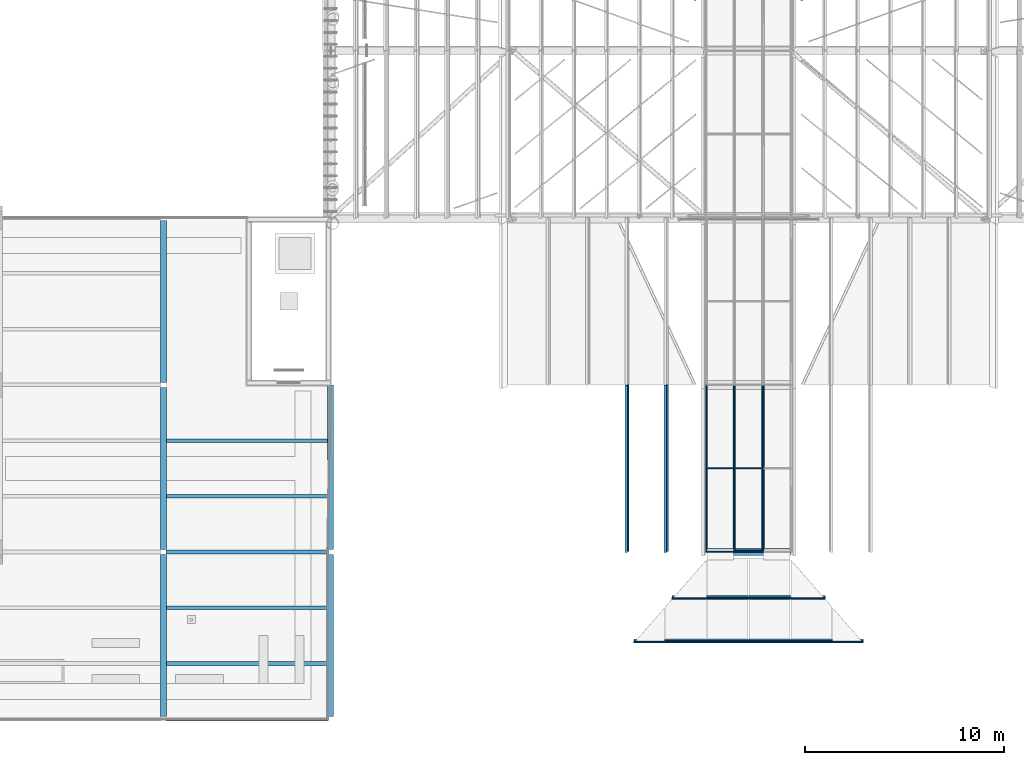
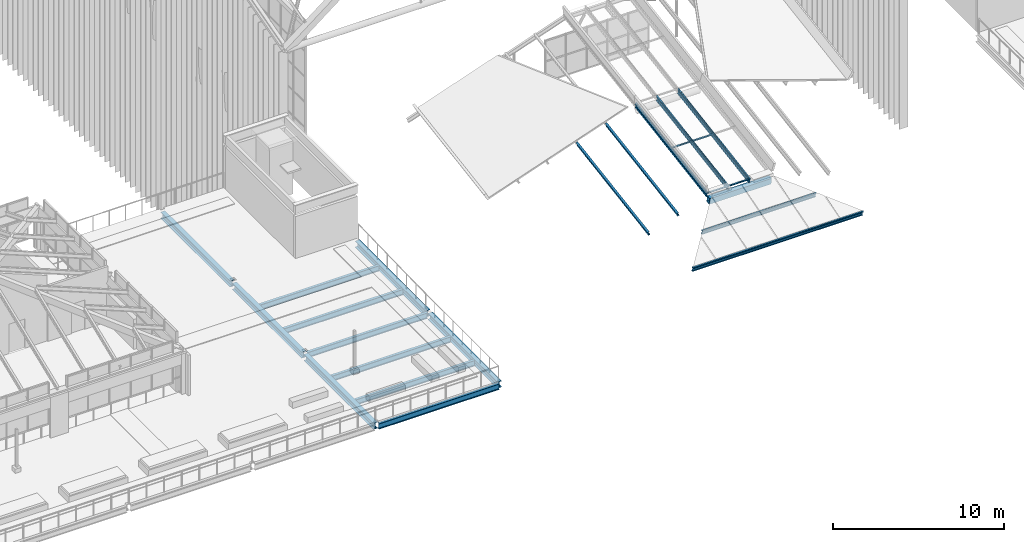
# One storey, part 13 of 126: 16 members, 12 beams.
"""IFC4 building model written with IfcOpenShell, lengths in metres."""

import ifcopenshell
import ifcopenshell.guid

model = None  # the IFC model being written
_history = None  # IfcOwnerHistory: only IFC2X3 demands one
_inside = {}  # id of a spatial element -> (the spatial element, [elements in it])
_under = {}  # id of a project, library or spatial element -> (it, [spatial elements below it])
_declared = {}  # id of a project -> (the project, [libraries it declares])
_typed = {}  # id of a type object -> (the type object, [elements of that type])
_made_of = {}  # id of a material, layer set ... -> (it, [elements and type objects made of it])


def new_model(schema):
    """Start an empty IFC model of exactly this schema.

    Asked for "IFC4X3", IfcOpenShell would pick the latest addendum, in which some entities
    have other attributes; the version numbers below select the first issue.
    IFC2X3 requires an IfcOwnerHistory on every rooted entity: one is made here for all.
    """
    global model, _history
    if schema == "IFC4X3":
        model = ifcopenshell.file(schema_version=(4, 3, 0, 0))
    else:
        model = ifcopenshell.file(schema=schema)
    _inside.clear()
    _under.clear()
    _declared.clear()
    _typed.clear()
    _made_of.clear()
    _history = None
    if model.schema == "IFC2X3":
        org = make("IfcOrganization", Name="unknown")
        user = make(
            "IfcPersonAndOrganization",
            ThePerson=make("IfcPerson", FamilyName="unknown"),
            TheOrganization=org,
        )
        app = make(
            "IfcApplication",
            ApplicationDeveloper=org,
            Version="unknown",
            ApplicationFullName="unknown",
            ApplicationIdentifier="unknown",
        )
        _history = make(
            "IfcOwnerHistory",
            OwningUser=user,
            OwningApplication=app,
            ChangeAction="ADDED",
            CreationDate=0,
        )
    return model


def make(cls, **values):
    """One entity of the class cls with the attributes given. An attribute that is None is left unset."""
    return model.create_entity(
        cls, **{name: value for name, value in values.items() if value is not None}
    )


def rooted(cls, **values):
    """An entity with a GlobalId (a new one), such as an element, a storey or a relation."""
    return make(cls, GlobalId=ifcopenshell.guid.new(), OwnerHistory=_history, **values)


def si_unit(unit_type, name, prefix=None):
    """IfcSIUnit, for example si_unit("LENGTHUNIT", "METRE", prefix="MILLI")."""
    return make("IfcSIUnit", UnitType=unit_type, Prefix=prefix, Name=name)


def assignment(units):
    """IfcUnitAssignment: the units of a project."""
    return None if units is None else make("IfcUnitAssignment", Units=units)


def point(xyz):
    """IfcCartesianPoint."""
    return None if xyz is None else make("IfcCartesianPoint", Coordinates=xyz)


def direction(xyz):
    """IfcDirection."""
    return None if xyz is None else make("IfcDirection", DirectionRatios=xyz)


def frame(location, z_axis=None, x_axis=None):
    """IfcAxis2Placement3D, a coordinate frame: its origin and axes. An axis left out is left unset."""
    return make(
        "IfcAxis2Placement3D",
        Location=point(location),
        Axis=direction(z_axis),
        RefDirection=direction(x_axis),
    )


def frame_2d(location, x_axis=None):
    """IfcAxis2Placement2D, a coordinate frame in the plane: its origin and x axis."""
    return make(
        "IfcAxis2Placement2D", Location=point(location), RefDirection=direction(x_axis)
    )


def origin():
    """The frame at (0, 0, 0) with its axes left unset."""
    return frame((0.0, 0.0, 0.0))


def origin_2d():
    """The frame at (0, 0) in the plane with its x axis left unset."""
    return frame_2d((0.0, 0.0))


def place(relative_to, where):
    """IfcLocalPlacement: puts the frame where relative to a parent placement (None: the world)."""
    return make(
        "IfcLocalPlacement", PlacementRelTo=relative_to, RelativePlacement=where
    )


def context(
    kind, dimensions, precision=None, world=None, true_north=None, identifier=None
):
    """IfcGeometricRepresentationContext, for example the 3D "Model" context."""
    return make(
        "IfcGeometricRepresentationContext",
        ContextIdentifier=identifier,
        ContextType=kind,
        CoordinateSpaceDimension=dimensions,
        Precision=precision,
        WorldCoordinateSystem=world,
        TrueNorth=true_north,
    )


def subcontext(parent, identifier, kind, view, scale=None):
    """IfcGeometricRepresentationSubContext, for example "Body" below "Model"."""
    return make(
        "IfcGeometricRepresentationSubContext",
        ContextIdentifier=identifier,
        ContextType=kind,
        ParentContext=parent,
        TargetScale=scale,
        TargetView=view,
    )


def project(units=None, contexts=None):
    """IfcProject with its units and contexts."""
    return rooted(
        "IfcProject",
        Name="project",
        RepresentationContexts=contexts,
        UnitsInContext=assignment(units),
    )


def spatial(cls, under=None, at=None, **own):
    """A site, building, storey or space (cls), placed at a placement, below another one or the project."""
    s = rooted(cls, ObjectPlacement=at, **own)
    if under is not None:
        _under.setdefault(under.id(), (under, []))[1].append(s)
    return s


def polyline(points):
    """IfcPolyline through the points."""
    return make("IfcPolyline", Points=[point(p) for p in points])


def profile(cls, at=None, kind="AREA", **sizes):
    """A parametric profile (cls). Its sizes go by their IFC names, for example OverallWidth=200.0."""
    return make(cls, ProfileType=kind, Position=at, **sizes)


def rectangle(**sizes):
    """IfcRectangleProfileDef."""
    return profile("IfcRectangleProfileDef", **sizes)


def i_section(**sizes):
    """IfcIShapeProfileDef."""
    return profile("IfcIShapeProfileDef", **sizes)


def outline(outer, holes=None, kind="AREA"):
    """IfcArbitraryClosedProfileDef: a profile drawn as a closed curve; with holes, ...WithVoids."""
    if holes is None:
        return make("IfcArbitraryClosedProfileDef", ProfileType=kind, OuterCurve=outer)
    return make(
        "IfcArbitraryProfileDefWithVoids",
        ProfileType=kind,
        OuterCurve=outer,
        InnerCurves=holes,
    )


def extrude(swept, where, along, depth):
    """IfcExtrudedAreaSolid: the profile swept, set in the frame where, extruded along a direction by depth."""
    return make(
        "IfcExtrudedAreaSolid",
        SweptArea=swept,
        Position=where,
        ExtrudedDirection=direction(along),
        Depth=depth,
    )


def shape(context_of_items, identifier, shape_type, items):
    """IfcShapeRepresentation: the items that make up one representation, for example the "Body"."""
    return make(
        "IfcShapeRepresentation",
        ContextOfItems=context_of_items,
        RepresentationIdentifier=identifier,
        RepresentationType=shape_type,
        Items=items,
    )


def material(Name=None, Category=None):
    """IfcMaterial."""
    return make("IfcMaterial", Name=Name, Category=Category)


def material_profile(
    of_material, cross_section, Name=None, Category=None, Priority=None
):
    """IfcMaterialProfile: a cross section and its material."""
    return make(
        "IfcMaterialProfile",
        Name=Name,
        Material=of_material,
        Profile=cross_section,
        Priority=Priority,
        Category=Category,
    )


def profile_set(profiles, Name=None, composite=None):
    """IfcMaterialProfileSet."""
    return make(
        "IfcMaterialProfileSet",
        Name=Name,
        MaterialProfiles=profiles,
        CompositeProfile=composite,
    )


def made_of(thing, what):
    """Note that an element or type object is made of a material, layer set ...; save() writes the relation."""
    if what is not None:
        _made_of.setdefault(what.id(), (what, []))[1].append(thing)
    return thing


def type_object(cls, material=None, **own):
    """A type object (cls), such as IfcWallType, which elements share."""
    return made_of(rooted(cls, **own), material)


def element(
    cls,
    number,
    at=None,
    inside=None,
    cuts=None,
    type_object=None,
    material=None,
    context=None,
    identifier="Body",
    shape_type=None,
    held_by="IfcProductDefinitionShape",
    body=None,
    shapes=None,
    **own,
):
    """One element of the class cls, such as IfcWall. Its Tag is "e" and its number.

    at: its placement. inside: the storey or other place that contains it. cuts: it is an
    opening in that element (IfcRelVoidsElement). A single representation is given by context,
    identifier, shape_type and body (its items); several are given by shapes. held_by: the class
    of the entity that holds the representations. save() writes the other relations.
    """
    e = rooted(cls, Tag="e%d" % number, ObjectPlacement=at, **own)
    if body is not None:
        shapes = [shape(context, identifier, shape_type, body)]
    if shapes is not None:
        e.Representation = make(held_by, Representations=shapes)
    if inside is not None:
        _inside.setdefault(inside.id(), (inside, []))[1].append(e)
    if cuts is not None:
        rooted(
            "IfcRelVoidsElement", RelatingBuildingElement=cuts, RelatedOpeningElement=e
        )
    if type_object is not None:
        _typed.setdefault(type_object.id(), (type_object, []))[1].append(e)
    return made_of(e, material)


def aggregate(whole, parts):
    """IfcRelAggregates: a whole, such as a stair, and the parts it consists of."""
    return rooted("IfcRelAggregates", RelatingObject=whole, RelatedObjects=parts)


def save(model, path):
    """Write the relations noted so far, then the file.

    IfcRelAggregates (storeys below a building ...), IfcRelContainedInSpatialStructure (elements
    in a storey), IfcRelDefinesByType, IfcRelAssociatesMaterial and IfcRelDeclares: one each for
    every whole, place, type object, material and project.
    """
    for whole, parts in _under.values():
        aggregate(whole, parts)
    for where, things in _inside.values():
        rooted(
            "IfcRelContainedInSpatialStructure",
            RelatedElements=things,
            RelatingStructure=where,
        )
    for kind, things in _typed.values():
        rooted("IfcRelDefinesByType", RelatedObjects=things, RelatingType=kind)
    for what, things in _made_of.values():
        rooted("IfcRelAssociatesMaterial", RelatedObjects=things, RelatingMaterial=what)
    for by, libraries in _declared.values():
        rooted("IfcRelDeclares", RelatingContext=by, RelatedDefinitions=libraries)
    model.write(path)


model = new_model("IFC4")

# Units and contexts
model_context = context("Model", 3, precision=1e-05, world=origin(), true_north=direction((0.0, 1.0)))
body_context = subcontext(model_context, "Body", "Model", "MODEL_VIEW")
ifc_project = project(units=[si_unit("LENGTHUNIT", "METRE"), si_unit("AREAUNIT", "SQUARE_METRE"), si_unit("VOLUMEUNIT", "CUBIC_METRE"), si_unit("PLANEANGLEUNIT", "RADIAN"), si_unit("MASSUNIT", "GRAM", prefix="KILO")], contexts=[model_context])

# Site, building, storey
site_placement = place(None, origin())
site = spatial("IfcSite", under=ifc_project, at=site_placement, CompositionType="ELEMENT")
building_placement = place(site_placement, origin())
building = spatial("IfcBuilding", under=site, at=building_placement, Name="Sava Quay Ferry Terminal", CompositionType="ELEMENT")
storey_placement = place(building_placement, frame((0.0, 0.0, 15.0)))
storey = spatial("IfcBuildingStorey", under=building, at=storey_placement, Name="L03", CompositionType="ELEMENT", Elevation=15.0)

# Beams
ifc_material_1 = material(Name="Steel S355", Category="steel")
ifc_material_profile_1 = material_profile(ifc_material_1, i_section(OverallWidth=0.179931640625, OverallDepth=0.39990234375, WebThickness=0.008544921875, FlangeThickness=0.013427734375, at=origin_2d()), Name="IPE 400")
ifc_profile_set_1 = profile_set([ifc_material_profile_1], Name="Steel S355")
beam_type_1 = type_object("IfcBeamType", Name="Beam IPE 400", PredefinedType="BEAM", material=ifc_profile_set_1)
for number, where, z_axis, x_axis, name in (
    (1, (33.72998046875, 25.199951171875, -0.35009765625), (1.0, 0.0, 0.0), (0.0, 1.0, 0.0), "Beam L03"),
    (2, (33.72998046875, 33.60009765625, -0.35009765625), (1.0, 0.0, 0.0), (0.0, 1.0, 0.0), "Beam L03"),
):
    element("IfcBeam", number, at=place(storey_placement, frame(where, z_axis=z_axis, x_axis=x_axis)), inside=storey, type_object=beam_type_1, Name=name, PredefinedType="BEAM", context=body_context, shape_type="SweptSolid", body=[
        extrude(i_section(OverallWidth=0.179931640625, OverallDepth=0.39990234375, WebThickness=0.008544921875, FlangeThickness=0.013427734375, at=origin_2d()), origin(), (0.0, 0.0, 1.0), 8.14013671875),
    ])
for number, where, z_axis, x_axis, name in (
    (3, (33.75, 28.0, -0.35009765625), (1.0, 0.0, 0.0), (0.0, 1.0, 0.0), "Secondary beam L03"),
    (4, (33.75, 30.800048828125, -0.35009765625), (1.0, 0.0, 0.0), (0.0, 1.0, 0.0), "Secondary beam L03"),
    (5, (33.75, 36.39990234375, -0.35009765625), (1.0, 0.0, 0.0), (0.0, 1.0, 0.0), "Secondary beam L03"),
    (6, (33.75, 39.199951171875, -0.35009765625), (1.0, 0.0, 0.0), (0.0, 1.0, 0.0), "Secondary beam L03"),
):
    element("IfcBeam", number, at=place(storey_placement, frame(where, z_axis=z_axis, x_axis=x_axis)), inside=storey, type_object=beam_type_1, Name=name, PredefinedType="BEAM", context=body_context, shape_type="SweptSolid", body=[
        extrude(i_section(OverallWidth=0.179931640625, OverallDepth=0.39990234375, WebThickness=0.008544921875, FlangeThickness=0.013427734375, at=origin_2d()), origin(), (0.0, 0.0, 1.0), 8.10009765625),
    ])
ifc_material_2 = material(Name="Steel S355", Category="steel")
ifc_material_profile_2 = material_profile(ifc_material_2, i_section(OverallWidth=0.300048828125, OverallDepth=0.449951171875, WebThickness=0.013916015625, FlangeThickness=0.02587890625, at=origin_2d()), Name="HE 450 B")
ifc_profile_set_2 = profile_set([ifc_material_profile_2], Name="Steel S355")
beam_type_2 = type_object("IfcBeamType", Name="Girder HE 450 B", PredefinedType="BEAM", material=ifc_profile_set_2)
beam_1_placement = place(storey_placement, frame((33.60009765625, 25.330078125, -0.375), z_axis=(0.0, 1.0, 0.0), x_axis=(-1.0, 0.0, 0.0)))
element("IfcBeam", 7, at=beam_1_placement, inside=storey, type_object=beam_type_2, Name="Girder L03", PredefinedType="BEAM", context=body_context, shape_type="SweptSolid", body=[
    extrude(i_section(OverallWidth=0.300048828125, OverallDepth=0.449951171875, WebThickness=0.013916015625, FlangeThickness=0.02587890625, at=origin_2d()), origin(), (0.0, 0.0, 1.0), 8.139892578125),
])
for number, where, z_axis, x_axis, name in (
    (8, (33.60009765625, 33.72998046875, -0.375), (0.0, 1.0, 0.0), (-1.0, 0.0, 0.0), "Girder L03"),
    (9, (33.60009765625, 42.1298828125, -0.375), (0.0, 1.0, 0.0), (-1.0, 0.0, 0.0), "Girder L03"),
):
    element("IfcBeam", number, at=place(storey_placement, frame(where, z_axis=z_axis, x_axis=x_axis)), inside=storey, type_object=beam_type_2, Name=name, PredefinedType="BEAM", context=body_context, shape_type="SweptSolid", body=[
        extrude(i_section(OverallWidth=0.300048828125, OverallDepth=0.449951171875, WebThickness=0.013916015625, FlangeThickness=0.02587890625, at=origin_2d()), origin(), (0.0, 0.0, 1.0), 8.14013671875),
    ])
beam_2_placement = place(storey_placement, frame((42.0, 25.330078125, -0.375), z_axis=(0.0, 1.0, 0.0), x_axis=(-1.0, 0.0, 0.0)))
element("IfcBeam", 10, at=beam_2_placement, inside=storey, type_object=beam_type_2, Name="Girder L03", PredefinedType="BEAM", context=body_context, shape_type="SweptSolid", body=[
    extrude(i_section(OverallWidth=0.300048828125, OverallDepth=0.449951171875, WebThickness=0.013916015625, FlangeThickness=0.02587890625, at=origin_2d()), origin(), (0.0, 0.0, 1.0), 8.139892578125),
])
beam_3_placement = place(storey_placement, frame((42.0, 33.72998046875, -0.375), z_axis=(0.0, 1.0, 0.0), x_axis=(-1.0, 0.0, 0.0)))
element("IfcBeam", 11, at=beam_3_placement, inside=storey, type_object=beam_type_2, Name="Girder L03", PredefinedType="BEAM", context=body_context, shape_type="SweptSolid", body=[
    extrude(i_section(OverallWidth=0.300048828125, OverallDepth=0.449951171875, WebThickness=0.013916015625, FlangeThickness=0.02587890625, at=origin_2d()), origin(), (0.0, 0.0, 1.0), 8.27001953125),
])

# Members
ifc_material_3 = material(Name="Aluminium EN AW-6063 T6", Category="aluminium")
ifc_material_profile_3 = material_profile(ifc_material_3, rectangle(XDim=0.06005859375, YDim=0.06005859375, at=origin_2d()), Name="Bar 60 x 60")
ifc_profile_set_3 = profile_set([ifc_material_profile_3], Name="Aluminium EN AW-6063 T6")
member_type_1 = type_object("IfcMemberType", Name="Glazing bar 60x60", PredefinedType="USERDEFINED", material=ifc_profile_set_3)
for number, where, z_axis, x_axis, name in (
    (12, (60.862548828125, 33.60009765625, 1.735595703125), (0.0, 0.987346262472, 0.158579185212), (-1.0, 0.0, 0.0), "Arrivals hall glazing bar A-B0-GL2.0"),
    (13, (62.270751953125, 33.60009765625, 1.735595703125), (0.0, 0.987346262472, 0.158579185212), (-1.0, 0.0, 0.0), "Arrivals hall glazing bar A-B0-GL2.1"),
    (14, (63.729248046875, 33.60009765625, 1.735595703125), (0.0, 0.987346262472, 0.158579185212), (-1.0, 0.0, 0.0), "Arrivals hall glazing bar A-B0-GL2.2"),
):
    element("IfcMember", number, at=place(storey_placement, frame(where, z_axis=z_axis, x_axis=x_axis)), inside=storey, type_object=member_type_1, Name=name, ObjectType="GLAZING BAR", PredefinedType="USERDEFINED", context=body_context, shape_type="SweptSolid", body=[
        extrude(rectangle(XDim=0.06005859375, YDim=0.06005859375, at=origin_2d()), origin(), (0.0, 0.0, 1.0), 8.507568359375),
    ])
member_1_placement = place(storey_placement, frame((60.892578125, 33.60009765625, 1.735595703125), z_axis=(1.0, 0.0, 0.0), x_axis=(0.0, 0.987348779589, 0.158563512333)))
element("IfcMember", 15, at=member_1_placement, inside=storey, type_object=member_type_1, Name="Arrivals hall glazing bar A-R0-GT2.0", ObjectType="GLAZING BAR", PredefinedType="USERDEFINED", context=body_context, shape_type="SweptSolid", body=[
    extrude(rectangle(XDim=0.06005859375, YDim=0.06005859375, at=origin_2d()), origin(), (0.0, 0.0, 1.0), 1.348388671875),
])
member_2_placement = place(storey_placement, frame((62.30078125, 33.60009765625, 1.735595703125), z_axis=(1.0, 0.0, 0.0), x_axis=(0.0, 0.987348779589, 0.158563512333)))
element("IfcMember", 16, at=member_2_placement, inside=storey, type_object=member_type_1, Name="Arrivals hall glazing bar A-R0-GT2.1", ObjectType="GLAZING BAR", PredefinedType="USERDEFINED", context=body_context, shape_type="SweptSolid", body=[
    extrude(rectangle(XDim=0.06005859375, YDim=0.06005859375, at=origin_2d()), origin(), (0.0, 0.0, 1.0), 1.3984375),
])
member_3_placement = place(storey_placement, frame((60.892578125, 37.800048828125, 2.41015625), z_axis=(1.0, 0.0, 0.0), x_axis=(0.0, 0.987348779589, 0.158563512333)))
element("IfcMember", 17, at=member_3_placement, inside=storey, type_object=member_type_1, Name="Arrivals hall glazing bar A-B0M-GT2.0", ObjectType="GLAZING BAR", PredefinedType="USERDEFINED", context=body_context, shape_type="SweptSolid", body=[
    extrude(rectangle(XDim=0.06005859375, YDim=0.06005859375, at=origin_2d()), origin(), (0.0, 0.0, 1.0), 1.348388671875),
])
member_4_placement = place(storey_placement, frame((62.30078125, 37.800048828125, 2.41015625), z_axis=(1.0, 0.0, 0.0), x_axis=(0.0, 0.987348779589, 0.158563512333)))
element("IfcMember", 18, at=member_4_placement, inside=storey, type_object=member_type_1, Name="Arrivals hall glazing bar A-B0M-GT2.1", ObjectType="GLAZING BAR", PredefinedType="USERDEFINED", context=body_context, shape_type="SweptSolid", body=[
    extrude(rectangle(XDim=0.06005859375, YDim=0.06005859375, at=origin_2d()), origin(), (0.0, 0.0, 1.0), 1.3984375),
])
member_5_placement = place(storey_placement, frame((57.231689453125, 29.076416015625, 0.39208984375), z_axis=(1.0, 0.0, 0.0), x_axis=(0.0, 0.957646605694, 0.28794613837)))
element("IfcMember", 19, at=member_5_placement, inside=storey, type_object=member_type_1, Name="Arrivals hall stern glazing bar GL16", ObjectType="GLAZING BAR", PredefinedType="USERDEFINED", context=body_context, shape_type="SweptSolid", body=[
    extrude(rectangle(XDim=0.06005859375, YDim=0.06005859375, at=origin_2d()), origin(), (0.0, 0.0, 1.0), 11.53662109375),
])
member_6_placement = place(storey_placement, frame((59.140380859375, 31.26220703125, 1.04931640625), z_axis=(1.0, 0.0, 0.0), x_axis=(0.0, 0.957646605694, 0.28794613837)))
element("IfcMember", 20, at=member_6_placement, inside=storey, type_object=member_type_1, Name="Arrivals hall stern glazing bar GL17", ObjectType="GLAZING BAR", PredefinedType="USERDEFINED", context=body_context, shape_type="SweptSolid", body=[
    extrude(rectangle(XDim=0.06005859375, YDim=0.06005859375, at=origin_2d()), origin(), (0.0, 0.0, 1.0), 7.71923828125),
])

# Beam
ifc_material_4 = material(Name="Steel S355", Category="steel")
ifc_material_profile_4 = material_profile(ifc_material_4, outline(polyline([(-0.14990234375, -0.228515625), (0.14990234375, -0.228515625), (0.14990234375, 0.228515625), (-0.14990234375, 0.228515625), (-0.14990234375, -0.228515625)]), holes=[polyline([(-0.1298828125, -0.20849609375), (-0.1298828125, 0.20849609375), (0.1298828125, 0.20849609375), (0.1298828125, -0.20849609375), (-0.1298828125, -0.20849609375)])]), Name="Box 457x300x20 built-up")
ifc_profile_set_4 = profile_set([ifc_material_profile_4], Name="Steel S355")
beam_type_3 = type_object("IfcBeamType", Name="Prow edge box 457x300x20", PredefinedType="BEAM", material=ifc_profile_set_4)
beam_4_placement = place(storey_placement, frame((60.89990234375, 33.60009765625, 1.200439453125), z_axis=(1.0, 0.0, 0.0), x_axis=(0.0, 0.987348779589, 0.158563512333)))
element("IfcBeam", 21, at=beam_4_placement, inside=storey, type_object=beam_type_3, Name="Arrivals hall fascia rib R0 seg 3", PredefinedType="BEAM", context=body_context, shape_type="SweptSolid", body=[
    extrude(outline(polyline([(-0.14990234375, -0.228515625), (0.14990234375, -0.228515625), (0.14990234375, 0.228515625), (-0.14990234375, 0.228515625), (-0.14990234375, -0.228515625)]), holes=[polyline([(-0.1298828125, -0.20849609375), (-0.1298828125, 0.20849609375), (0.1298828125, 0.20849609375), (0.1298828125, -0.20849609375), (-0.1298828125, -0.20849609375)])]), origin(), (0.0, 0.0, 1.0), 4.2001953125),
])

# Members
ifc_material_5 = material(Name="Steel S355", Category="steel")
ifc_material_profile_5 = material_profile(ifc_material_5, i_section(OverallWidth=0.135009765625, OverallDepth=0.27001953125, WebThickness=0.006591796875, FlangeThickness=0.01025390625, at=origin_2d()), Name="IPE 270")
ifc_profile_set_5 = profile_set([ifc_material_profile_5], Name="Steel S355")
member_type_2 = type_object("IfcMemberType", Name="Roof purlin IPE 270", PredefinedType="PURLIN", material=ifc_profile_set_5)
for number, where, z_axis, x_axis, name in (
    (22, (56.88623046875, 33.60009765625, 0.207275390625), (0.0, 0.987350755247, 0.158551209752), (-0.946780982947, 0.051034225954, -0.317806982477), "Arrivals hall purlin bay 1 M1.3"),
    (23, (58.863037109375, 33.60009765625, 0.887939453125), (0.0, 0.987350755247, 0.158551209752), (-0.946780982947, 0.051034225954, -0.317806982477), "Arrivals hall purlin bay 1 M1.4"),
    (24, (60.83984375, 33.60009765625, 1.568603515625), (0.0, 0.987350755247, 0.158551209752), (-0.986605539958, 0.025863541144, -0.161060813866), "Arrivals hall purlin bay 1 V2"),
    (25, (62.280029296875, 33.60009765625, 1.568603515625), (0.0, 0.987350755247, 0.158551209752), (-1.0, 0.0, 0.0), "Arrivals hall purlin bay 1 M2.1"),
    (26, (63.719970703125, 33.60009765625, 1.568603515625), (0.0, 0.987350755247, 0.158551209752), (-1.0, 0.0, 0.0), "Arrivals hall purlin bay 1 M2.2"),
):
    element("IfcMember", number, at=place(storey_placement, frame(where, z_axis=z_axis, x_axis=x_axis)), inside=storey, type_object=member_type_2, Name=name, PredefinedType="PURLIN", context=body_context, shape_type="SweptSolid", body=[
        extrude(i_section(OverallWidth=0.135009765625, OverallDepth=0.27001953125, WebThickness=0.006591796875, FlangeThickness=0.01025390625, at=origin_2d()), origin(), (0.0, 0.0, 1.0), 8.507568359375),
    ])
member_7_placement = place(storey_placement, frame((57.231689453125, 29.1240234375, 0.234130859375), z_axis=(1.0, 0.0, 0.0), x_axis=(0.0, 0.957646605694, 0.28794613837)))
element("IfcMember", 27, at=member_7_placement, inside=storey, type_object=member_type_2, Name="Arrivals hall stern purlin PU5", PredefinedType="PURLIN", context=body_context, shape_type="SweptSolid", body=[
    extrude(i_section(OverallWidth=0.135009765625, OverallDepth=0.27001953125, WebThickness=0.006591796875, FlangeThickness=0.01025390625, at=origin_2d()), origin(), (0.0, 0.0, 1.0), 11.53662109375),
])
member_8_placement = place(storey_placement, frame((59.140380859375, 31.3095703125, 0.891357421875), z_axis=(1.0, 0.0, 0.0), x_axis=(0.0, 0.957646605694, 0.28794613837)))
element("IfcMember", 28, at=member_8_placement, inside=storey, type_object=member_type_2, Name="Arrivals hall stern purlin PU6", PredefinedType="PURLIN", context=body_context, shape_type="SweptSolid", body=[
    extrude(i_section(OverallWidth=0.135009765625, OverallDepth=0.27001953125, WebThickness=0.006591796875, FlangeThickness=0.01025390625, at=origin_2d()), origin(), (0.0, 0.0, 1.0), 7.71923828125),
])

save(model, "model.ifc")
